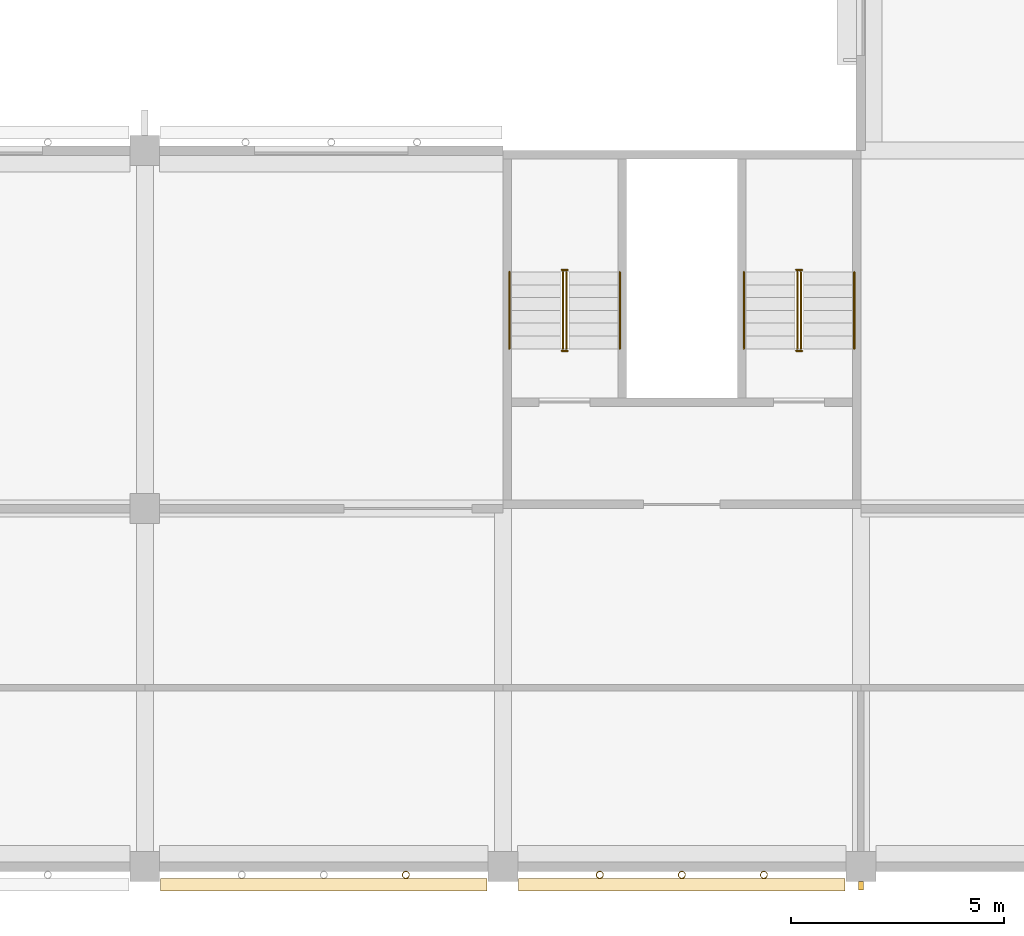
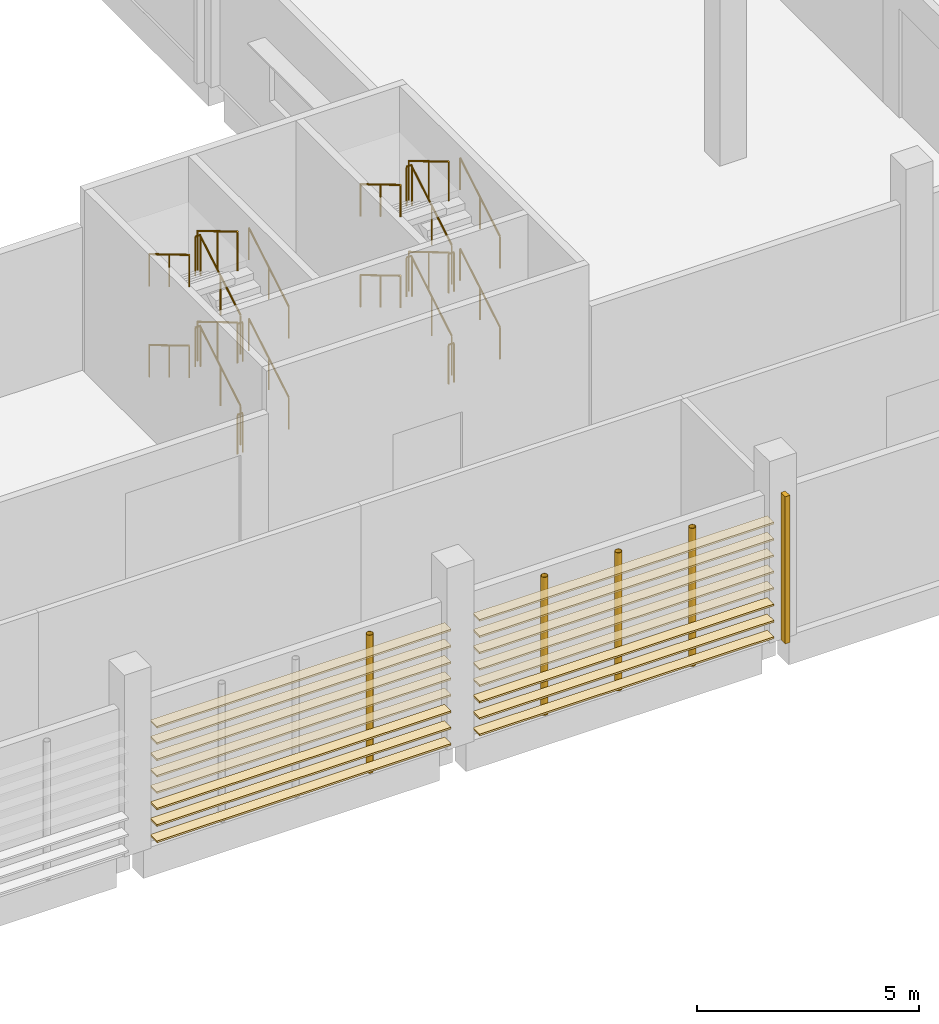
# One storey, part 59 of 82: 24 railings, 16 coverings, 5 shading devices.
"""IFC4 building model written with IfcOpenShell, lengths in metres."""

from ifc_helpers import new_model, si_unit, direction, frame, origin, origin_2d, place, context, subcontext, project, spatial, rectangle, circle, hollow_circle, extrude, material, material_profile, profile_set, type_object, element, save


model = new_model("IFC4")

# Units and contexts
model_context = context("Model", 3, precision=1e-05, world=origin(), true_north=direction((0.0, 1.0)))
body_context = subcontext(model_context, "Body", "Model", "MODEL_VIEW")
ifc_project = project(units=[si_unit("LENGTHUNIT", "METRE"), si_unit("AREAUNIT", "SQUARE_METRE"), si_unit("VOLUMEUNIT", "CUBIC_METRE"), si_unit("PLANEANGLEUNIT", "RADIAN"), si_unit("MASSUNIT", "GRAM", prefix="KILO")], contexts=[model_context])

# Site, building, storey
site_placement = place(None, origin())
site = spatial("IfcSite", under=ifc_project, at=site_placement, CompositionType="ELEMENT")
building_placement = place(site_placement, origin())
building = spatial("IfcBuilding", under=site, at=building_placement, Name="Almond Square Museum", CompositionType="ELEMENT")
storey_placement = place(building_placement, frame((0.0, 0.0, 20.0)))
storey = spatial("IfcBuildingStorey", under=building, at=storey_placement, Name="L03", CompositionType="ELEMENT", Elevation=20.0)

# Shading devices
ifc_material_1 = material(Name="Structural steel S355", Category="steel")
ifc_material_profile_1 = material_profile(ifc_material_1, hollow_circle(Radius=0.084228515625, WallThickness=0.008056640625, at=origin_2d()))
ifc_profile_set_1 = profile_set([ifc_material_profile_1], Name="Structural steel S355")
shading_device_type_1 = type_object("IfcShadingDeviceType", Name="Louvre post CHS 168.3 x 8", PredefinedType="USERDEFINED", material=ifc_profile_set_1)
for number, where, z_axis, x_axis, name in (
    (1, (121.324951171875, -0.194091796875, 0.0), (0.0, 0.0, 1.0), (1.0, 0.0, 0.0), "Louvre screen post"),
    (2, (125.875, -0.194091796875, 0.0), (0.0, 0.0, 1.0), (1.0, 0.0, 0.0), "Louvre screen post"),
    (3, (127.800048828125, -0.194091796875, 0.0), (0.0, 0.0, 1.0), (1.0, 0.0, 0.0), "Louvre screen post"),
    (4, (129.72509765625, -0.194091796875, 0.0), (0.0, 0.0, 1.0), (1.0, 0.0, 0.0), "Louvre screen post"),
):
    element("IfcShadingDevice", number, at=place(storey_placement, frame(where, z_axis=z_axis, x_axis=x_axis)), inside=storey, type_object=shading_device_type_1, Name=name, ObjectType="POST", PredefinedType="USERDEFINED", context=body_context, shape_type="SweptSolid", body=[
        extrude(hollow_circle(Radius=0.084228515625, WallThickness=0.008056640625, at=origin_2d()), origin(), (0.0, 0.0, 1.0), 3.800048828125),
    ])

# Coverings
ifc_material_2 = material(Name="Cedar timber louvre board", Category="wood")
ifc_material_profile_2 = material_profile(ifc_material_2, rectangle(XDim=0.300048828125, YDim=0.050048828125, at=origin_2d()))
ifc_profile_set_2 = profile_set([ifc_material_profile_2], Name="Cedar timber louvre board")
covering_type = type_object("IfcCoveringType", Name="Louvre screen board 300 x 50", PredefinedType="CLADDING", material=ifc_profile_set_2)
for number, where, z_axis, x_axis, name in (
    (5, (115.570068359375, -0.42431640625, 0.300048828125), (1.0, 0.0, 0.0), (0.0, 1.0, 0.0), "Louvre screen board"),
    (6, (115.570068359375, -0.42431640625, 0.75), (1.0, 0.0, 0.0), (0.0, 1.0, 0.0), "Louvre screen board"),
    (7, (115.570068359375, -0.42431640625, 1.199951171875), (1.0, 0.0, 0.0), (0.0, 1.0, 0.0), "Louvre screen board"),
    (8, (115.570068359375, -0.42431640625, 1.64990234375), (1.0, 0.0, 0.0), (0.0, 1.0, 0.0), "Louvre screen board"),
    (9, (115.570068359375, -0.42431640625, 2.10009765625), (1.0, 0.0, 0.0), (0.0, 1.0, 0.0), "Louvre screen board"),
    (10, (115.570068359375, -0.42431640625, 2.550048828125), (1.0, 0.0, 0.0), (0.0, 1.0, 0.0), "Louvre screen board"),
    (11, (115.570068359375, -0.42431640625, 3.0), (1.0, 0.0, 0.0), (0.0, 1.0, 0.0), "Louvre screen board"),
    (12, (115.570068359375, -0.42431640625, 3.449951171875), (1.0, 0.0, 0.0), (0.0, 1.0, 0.0), "Louvre screen board"),
    (13, (123.969970703125, -0.42431640625, 0.300048828125), (1.0, 0.0, 0.0), (0.0, 1.0, 0.0), "Louvre screen board"),
    (14, (123.969970703125, -0.42431640625, 0.75), (1.0, 0.0, 0.0), (0.0, 1.0, 0.0), "Louvre screen board"),
    (15, (123.969970703125, -0.42431640625, 1.199951171875), (1.0, 0.0, 0.0), (0.0, 1.0, 0.0), "Louvre screen board"),
    (16, (123.969970703125, -0.42431640625, 1.64990234375), (1.0, 0.0, 0.0), (0.0, 1.0, 0.0), "Louvre screen board"),
    (17, (123.969970703125, -0.42431640625, 2.10009765625), (1.0, 0.0, 0.0), (0.0, 1.0, 0.0), "Louvre screen board"),
    (18, (123.969970703125, -0.42431640625, 2.550048828125), (1.0, 0.0, 0.0), (0.0, 1.0, 0.0), "Louvre screen board"),
    (19, (123.969970703125, -0.42431640625, 3.0), (1.0, 0.0, 0.0), (0.0, 1.0, 0.0), "Louvre screen board"),
    (20, (123.969970703125, -0.42431640625, 3.449951171875), (1.0, 0.0, 0.0), (0.0, 1.0, 0.0), "Louvre screen board"),
):
    element("IfcCovering", number, at=place(storey_placement, frame(where, z_axis=z_axis, x_axis=x_axis)), inside=storey, type_object=covering_type, Name=name, PredefinedType="CLADDING", context=body_context, shape_type="SweptSolid", body=[
        extrude(rectangle(XDim=0.300048828125, YDim=0.050048828125, at=origin_2d()), origin(), (0.0, 0.0, 1.0), 7.659912109375),
    ])

# Railings
ifc_material_3 = material(Name="Stainless steel and laminated glass", Category="steel")
railing_type_1 = type_object("IfcRailingType", Name="Stair guard 1100 steel and glass", PredefinedType="GUARDRAIL", material=ifc_material_3)
railing_1_placement = place(storey_placement, frame((125.090087890625, 12.14990234375, 0.178466796875)))
element("IfcRailing", 21, at=railing_1_placement, inside=storey, type_object=railing_type_1, Name="L03 ST-31 stair guard 1", PredefinedType="GUARDRAIL", context=body_context, shape_type="SweptSolid", body=[
    extrude(circle(Radius=0.02392578125, at=origin_2d()), frame((0.0, 0.0, 1.076171875), z_axis=(0.0, 0.859277029364, 0.511510495305), x_axis=(-1.0, 0.0, 0.0)), (0.0, 0.0, 1.0), 2.0947265625),
    extrude(circle(Radius=0.02099609375, at=origin_2d()), origin(), (0.0, 0.0, 1.0), 1.052001953125),
    extrude(circle(Radius=0.02099609375, at=origin_2d()), frame((0.0, 0.89990234375, 0.53564453125)), (0.0, 0.0, 1.0), 1.052001953125),
    extrude(circle(Radius=0.02099609375, at=origin_2d()), frame((0.0, 1.800048828125, 1.071533203125)), (0.0, 0.0, 1.0), 1.052001953125),
])
railing_2_placement = place(storey_placement, frame((125.1201171875, 14.0, 1.25)))
element("IfcRailing", 22, at=railing_2_placement, inside=storey, type_object=railing_type_1, Name="L03 ST-31 stair guard 2", PredefinedType="GUARDRAIL", context=body_context, shape_type="SweptSolid", body=[
    extrude(circle(Radius=0.02392578125, at=origin_2d()), frame((0.0, 0.0, 1.076171875), z_axis=(-1.0, 0.0, 0.0), x_axis=(0.0, -1.0, 0.0)), (0.0, 0.0, 1.0), 0.14013671875),
    extrude(circle(Radius=0.02099609375, at=origin_2d()), origin(), (0.0, 0.0, 1.0), 1.052001953125),
    extrude(circle(Radius=0.02099609375, at=origin_2d()), frame((-0.14013671875, 0.0, 0.0)), (0.0, 0.0, 1.0), 1.052001953125),
])
railing_3_placement = place(storey_placement, frame((125.010009765625, 13.949951171875, 1.428466796875)))
element("IfcRailing", 23, at=railing_3_placement, inside=storey, type_object=railing_type_1, Name="L03 ST-31 stair guard 3", PredefinedType="GUARDRAIL", context=body_context, shape_type="SweptSolid", body=[
    extrude(circle(Radius=0.02392578125, at=origin_2d()), frame((0.0, 0.0, 1.076171875), z_axis=(0.0, -0.859277029364, 0.511510495305), x_axis=(1.0, 0.0, 0.0)), (0.0, 0.0, 1.0), 2.0947265625),
    extrude(circle(Radius=0.02099609375, at=origin_2d()), origin(), (0.0, 0.0, 1.0), 1.052001953125),
    extrude(circle(Radius=0.02099609375, at=origin_2d()), frame((0.0, -0.89990234375, 0.53564453125)), (0.0, 0.0, 1.0), 1.052001953125),
    extrude(circle(Radius=0.02099609375, at=origin_2d()), frame((0.0, -1.800048828125, 1.071533203125)), (0.0, 0.0, 1.0), 1.052001953125),
])
railing_4_placement = place(storey_placement, frame((125.1201171875, 12.10009765625, 2.5)))
element("IfcRailing", 24, at=railing_4_placement, inside=storey, type_object=railing_type_1, Name="L03 ST-31 stair guard 4", PredefinedType="GUARDRAIL", context=body_context, shape_type="SweptSolid", body=[
    extrude(circle(Radius=0.02392578125, at=origin_2d()), frame((0.0, 0.0, 1.076171875), z_axis=(-1.0, 0.0, 0.0), x_axis=(0.0, -1.0, 0.0)), (0.0, 0.0, 1.0), 0.14013671875),
    extrude(circle(Radius=0.02099609375, at=origin_2d()), origin(), (0.0, 0.0, 1.0), 1.052001953125),
    extrude(circle(Radius=0.02099609375, at=origin_2d()), frame((-0.14013671875, 0.0, 0.0)), (0.0, 0.0, 1.0), 1.052001953125),
])
railing_5_placement = place(storey_placement, frame((125.090087890625, 12.14990234375, 2.678466796875)))
element("IfcRailing", 25, at=railing_5_placement, inside=storey, type_object=railing_type_1, Name="L03 ST-31 stair guard 5", PredefinedType="GUARDRAIL", context=body_context, shape_type="SweptSolid", body=[
    extrude(circle(Radius=0.02392578125, at=origin_2d()), frame((0.0, 0.0, 1.076171875), z_axis=(0.0, 0.859277029364, 0.511510495305), x_axis=(-1.0, 0.0, 0.0)), (0.0, 0.0, 1.0), 2.0947265625),
    extrude(circle(Radius=0.02099609375, at=origin_2d()), origin(), (0.0, 0.0, 1.0), 1.052001953125),
    extrude(circle(Radius=0.02099609375, at=origin_2d()), frame((0.0, 0.89990234375, 0.53564453125)), (0.0, 0.0, 1.0), 1.052001953125),
    extrude(circle(Radius=0.02099609375, at=origin_2d()), frame((0.0, 1.800048828125, 1.071533203125)), (0.0, 0.0, 1.0), 1.052001953125),
])
railing_6_placement = place(storey_placement, frame((125.1201171875, 14.0, 3.75)))
element("IfcRailing", 26, at=railing_6_placement, inside=storey, type_object=railing_type_1, Name="L03 ST-31 stair guard 6", PredefinedType="GUARDRAIL", context=body_context, shape_type="SweptSolid", body=[
    extrude(circle(Radius=0.02392578125, at=origin_2d()), frame((0.0, 0.0, 1.076171875), z_axis=(-1.0, 0.0, 0.0), x_axis=(0.0, -1.0, 0.0)), (0.0, 0.0, 1.0), 0.14013671875),
    extrude(circle(Radius=0.02099609375, at=origin_2d()), origin(), (0.0, 0.0, 1.0), 1.052001953125),
    extrude(circle(Radius=0.02099609375, at=origin_2d()), frame((-0.14013671875, 0.0, 0.0)), (0.0, 0.0, 1.0), 1.052001953125),
])
railing_7_placement = place(storey_placement, frame((125.010009765625, 13.949951171875, 3.928466796875)))
element("IfcRailing", 27, at=railing_7_placement, inside=storey, type_object=railing_type_1, Name="L03 ST-31 stair guard 7", PredefinedType="GUARDRAIL", context=body_context, shape_type="SweptSolid", body=[
    extrude(circle(Radius=0.02392578125, at=origin_2d()), frame((0.0, 0.0, 1.076171875), z_axis=(0.0, -0.859277029364, 0.511510495305), x_axis=(1.0, 0.0, 0.0)), (0.0, 0.0, 1.0), 2.0947265625),
    extrude(circle(Radius=0.02099609375, at=origin_2d()), origin(), (0.0, 0.0, 1.0), 1.052001953125),
    extrude(circle(Radius=0.02099609375, at=origin_2d()), frame((0.0, -0.89990234375, 0.53564453125)), (0.0, 0.0, 1.0), 1.052001953125),
    extrude(circle(Radius=0.02099609375, at=origin_2d()), frame((0.0, -1.800048828125, 1.071533203125)), (0.0, 0.0, 1.0), 1.052001953125),
])
railing_8_placement = place(storey_placement, frame((125.1201171875, 12.10009765625, 0.0)))
element("IfcRailing", 28, at=railing_8_placement, inside=storey, type_object=railing_type_1, Name="L03 ST-31 stair guard 8", PredefinedType="GUARDRAIL", context=body_context, shape_type="SweptSolid", body=[
    extrude(circle(Radius=0.02392578125, at=origin_2d()), frame((0.0, 0.0, 1.076171875), z_axis=(-1.0, 0.0, 0.0), x_axis=(0.0, -1.0, 0.0)), (0.0, 0.0, 1.0), 0.14013671875),
    extrude(circle(Radius=0.02099609375, at=origin_2d()), origin(), (0.0, 0.0, 1.0), 1.052001953125),
    extrude(circle(Radius=0.02099609375, at=origin_2d()), frame((-0.14013671875, 0.0, 0.0)), (0.0, 0.0, 1.0), 1.052001953125),
])
railing_9_placement = place(storey_placement, frame((130.590087890625, 12.14990234375, 0.178466796875)))
element("IfcRailing", 29, at=railing_9_placement, inside=storey, type_object=railing_type_1, Name="L03 ST-32 stair guard 1", PredefinedType="GUARDRAIL", context=body_context, shape_type="SweptSolid", body=[
    extrude(circle(Radius=0.02392578125, at=origin_2d()), frame((0.0, 0.0, 1.076171875), z_axis=(0.0, 0.859277029364, 0.511510495305), x_axis=(-1.0, 0.0, 0.0)), (0.0, 0.0, 1.0), 2.0947265625),
    extrude(circle(Radius=0.02099609375, at=origin_2d()), origin(), (0.0, 0.0, 1.0), 1.052001953125),
    extrude(circle(Radius=0.02099609375, at=origin_2d()), frame((0.0, 0.89990234375, 0.53564453125)), (0.0, 0.0, 1.0), 1.052001953125),
    extrude(circle(Radius=0.02099609375, at=origin_2d()), frame((0.0, 1.800048828125, 1.071533203125)), (0.0, 0.0, 1.0), 1.052001953125),
])
railing_10_placement = place(storey_placement, frame((130.6201171875, 14.0, 1.25)))
element("IfcRailing", 30, at=railing_10_placement, inside=storey, type_object=railing_type_1, Name="L03 ST-32 stair guard 2", PredefinedType="GUARDRAIL", context=body_context, shape_type="SweptSolid", body=[
    extrude(circle(Radius=0.02392578125, at=origin_2d()), frame((0.0, 0.0, 1.076171875), z_axis=(-1.0, 0.0, 0.0), x_axis=(0.0, -1.0, 0.0)), (0.0, 0.0, 1.0), 0.14013671875),
    extrude(circle(Radius=0.02099609375, at=origin_2d()), origin(), (0.0, 0.0, 1.0), 1.052001953125),
    extrude(circle(Radius=0.02099609375, at=origin_2d()), frame((-0.14013671875, 0.0, 0.0)), (0.0, 0.0, 1.0), 1.052001953125),
])
railing_11_placement = place(storey_placement, frame((130.510009765625, 13.949951171875, 1.428466796875)))
element("IfcRailing", 31, at=railing_11_placement, inside=storey, type_object=railing_type_1, Name="L03 ST-32 stair guard 3", PredefinedType="GUARDRAIL", context=body_context, shape_type="SweptSolid", body=[
    extrude(circle(Radius=0.02392578125, at=origin_2d()), frame((0.0, 0.0, 1.076171875), z_axis=(0.0, -0.859277029364, 0.511510495305), x_axis=(1.0, 0.0, 0.0)), (0.0, 0.0, 1.0), 2.0947265625),
    extrude(circle(Radius=0.02099609375, at=origin_2d()), origin(), (0.0, 0.0, 1.0), 1.052001953125),
    extrude(circle(Radius=0.02099609375, at=origin_2d()), frame((0.0, -0.89990234375, 0.53564453125)), (0.0, 0.0, 1.0), 1.052001953125),
    extrude(circle(Radius=0.02099609375, at=origin_2d()), frame((0.0, -1.800048828125, 1.071533203125)), (0.0, 0.0, 1.0), 1.052001953125),
])
railing_12_placement = place(storey_placement, frame((130.6201171875, 12.10009765625, 2.5)))
element("IfcRailing", 32, at=railing_12_placement, inside=storey, type_object=railing_type_1, Name="L03 ST-32 stair guard 4", PredefinedType="GUARDRAIL", context=body_context, shape_type="SweptSolid", body=[
    extrude(circle(Radius=0.02392578125, at=origin_2d()), frame((0.0, 0.0, 1.076171875), z_axis=(-1.0, 0.0, 0.0), x_axis=(0.0, -1.0, 0.0)), (0.0, 0.0, 1.0), 0.14013671875),
    extrude(circle(Radius=0.02099609375, at=origin_2d()), origin(), (0.0, 0.0, 1.0), 1.052001953125),
    extrude(circle(Radius=0.02099609375, at=origin_2d()), frame((-0.14013671875, 0.0, 0.0)), (0.0, 0.0, 1.0), 1.052001953125),
])
railing_13_placement = place(storey_placement, frame((130.590087890625, 12.14990234375, 2.678466796875)))
element("IfcRailing", 33, at=railing_13_placement, inside=storey, type_object=railing_type_1, Name="L03 ST-32 stair guard 5", PredefinedType="GUARDRAIL", context=body_context, shape_type="SweptSolid", body=[
    extrude(circle(Radius=0.02392578125, at=origin_2d()), frame((0.0, 0.0, 1.076171875), z_axis=(0.0, 0.859277029364, 0.511510495305), x_axis=(-1.0, 0.0, 0.0)), (0.0, 0.0, 1.0), 2.0947265625),
    extrude(circle(Radius=0.02099609375, at=origin_2d()), origin(), (0.0, 0.0, 1.0), 1.052001953125),
    extrude(circle(Radius=0.02099609375, at=origin_2d()), frame((0.0, 0.89990234375, 0.53564453125)), (0.0, 0.0, 1.0), 1.052001953125),
    extrude(circle(Radius=0.02099609375, at=origin_2d()), frame((0.0, 1.800048828125, 1.071533203125)), (0.0, 0.0, 1.0), 1.052001953125),
])
railing_14_placement = place(storey_placement, frame((130.6201171875, 14.0, 3.75)))
element("IfcRailing", 34, at=railing_14_placement, inside=storey, type_object=railing_type_1, Name="L03 ST-32 stair guard 6", PredefinedType="GUARDRAIL", context=body_context, shape_type="SweptSolid", body=[
    extrude(circle(Radius=0.02392578125, at=origin_2d()), frame((0.0, 0.0, 1.076171875), z_axis=(-1.0, 0.0, 0.0), x_axis=(0.0, -1.0, 0.0)), (0.0, 0.0, 1.0), 0.14013671875),
    extrude(circle(Radius=0.02099609375, at=origin_2d()), origin(), (0.0, 0.0, 1.0), 1.052001953125),
    extrude(circle(Radius=0.02099609375, at=origin_2d()), frame((-0.14013671875, 0.0, 0.0)), (0.0, 0.0, 1.0), 1.052001953125),
])
railing_15_placement = place(storey_placement, frame((130.510009765625, 13.949951171875, 3.928466796875)))
element("IfcRailing", 35, at=railing_15_placement, inside=storey, type_object=railing_type_1, Name="L03 ST-32 stair guard 7", PredefinedType="GUARDRAIL", context=body_context, shape_type="SweptSolid", body=[
    extrude(circle(Radius=0.02392578125, at=origin_2d()), frame((0.0, 0.0, 1.076171875), z_axis=(0.0, -0.859277029364, 0.511510495305), x_axis=(1.0, 0.0, 0.0)), (0.0, 0.0, 1.0), 2.0947265625),
    extrude(circle(Radius=0.02099609375, at=origin_2d()), origin(), (0.0, 0.0, 1.0), 1.052001953125),
    extrude(circle(Radius=0.02099609375, at=origin_2d()), frame((0.0, -0.89990234375, 0.53564453125)), (0.0, 0.0, 1.0), 1.052001953125),
    extrude(circle(Radius=0.02099609375, at=origin_2d()), frame((0.0, -1.800048828125, 1.071533203125)), (0.0, 0.0, 1.0), 1.052001953125),
])
railing_16_placement = place(storey_placement, frame((130.6201171875, 12.10009765625, 0.0)))
element("IfcRailing", 36, at=railing_16_placement, inside=storey, type_object=railing_type_1, Name="L03 ST-32 stair guard 8", PredefinedType="GUARDRAIL", context=body_context, shape_type="SweptSolid", body=[
    extrude(circle(Radius=0.02392578125, at=origin_2d()), frame((0.0, 0.0, 1.076171875), z_axis=(-1.0, 0.0, 0.0), x_axis=(0.0, -1.0, 0.0)), (0.0, 0.0, 1.0), 0.14013671875),
    extrude(circle(Radius=0.02099609375, at=origin_2d()), origin(), (0.0, 0.0, 1.0), 1.052001953125),
    extrude(circle(Radius=0.02099609375, at=origin_2d()), frame((-0.14013671875, 0.0, 0.0)), (0.0, 0.0, 1.0), 1.052001953125),
])
ifc_material_4 = material(Name="Stainless steel", Category="steel")
railing_type_2 = type_object("IfcRailingType", Name="Stair handrail 900 steel", PredefinedType="HANDRAIL", material=ifc_material_4)
railing_17_placement = place(storey_placement, frame((126.344970703125, 12.14990234375, 0.178466796875)))
element("IfcRailing", 37, at=railing_17_placement, inside=storey, type_object=railing_type_2, Name="L03 ST-31 stair handrail 1", PredefinedType="HANDRAIL", context=body_context, shape_type="SweptSolid", body=[
    extrude(circle(Radius=0.02392578125, at=origin_2d()), frame((0.0, 0.0, 0.8759765625), z_axis=(0.0, 0.859277029364, 0.511510495305), x_axis=(-1.0, 0.0, 0.0)), (0.0, 0.0, 1.0), 2.0947265625),
    extrude(circle(Radius=0.02099609375, at=origin_2d()), origin(), (0.0, 0.0, 1.0), 0.851806640625),
    extrude(circle(Radius=0.02099609375, at=origin_2d()), frame((0.0, 0.89990234375, 0.53564453125)), (0.0, 0.0, 1.0), 0.851806640625),
    extrude(circle(Radius=0.02099609375, at=origin_2d()), frame((0.0, 1.800048828125, 1.071533203125)), (0.0, 0.0, 1.0), 0.851806640625),
])
railing_18_placement = place(storey_placement, frame((123.7548828125, 13.949951171875, 1.428466796875)))
element("IfcRailing", 38, at=railing_18_placement, inside=storey, type_object=railing_type_2, Name="L03 ST-31 stair handrail 2", PredefinedType="HANDRAIL", context=body_context, shape_type="SweptSolid", body=[
    extrude(circle(Radius=0.02392578125, at=origin_2d()), frame((0.0, 0.0, 0.8759765625), z_axis=(0.0, -0.859277029364, 0.511510495305), x_axis=(1.0, 0.0, 0.0)), (0.0, 0.0, 1.0), 2.0947265625),
    extrude(circle(Radius=0.02099609375, at=origin_2d()), origin(), (0.0, 0.0, 1.0), 0.851806640625),
    extrude(circle(Radius=0.02099609375, at=origin_2d()), frame((0.0, -0.89990234375, 0.53564453125)), (0.0, 0.0, 1.0), 0.851806640625),
    extrude(circle(Radius=0.02099609375, at=origin_2d()), frame((0.0, -1.800048828125, 1.071533203125)), (0.0, 0.0, 1.0), 0.851806640625),
])
railing_19_placement = place(storey_placement, frame((126.344970703125, 12.14990234375, 2.678466796875)))
element("IfcRailing", 39, at=railing_19_placement, inside=storey, type_object=railing_type_2, Name="L03 ST-31 stair handrail 3", PredefinedType="HANDRAIL", context=body_context, shape_type="SweptSolid", body=[
    extrude(circle(Radius=0.02392578125, at=origin_2d()), frame((0.0, 0.0, 0.8759765625), z_axis=(0.0, 0.859277029364, 0.511510495305), x_axis=(-1.0, 0.0, 0.0)), (0.0, 0.0, 1.0), 2.0947265625),
    extrude(circle(Radius=0.02099609375, at=origin_2d()), origin(), (0.0, 0.0, 1.0), 0.851806640625),
    extrude(circle(Radius=0.02099609375, at=origin_2d()), frame((0.0, 0.89990234375, 0.53564453125)), (0.0, 0.0, 1.0), 0.851806640625),
    extrude(circle(Radius=0.02099609375, at=origin_2d()), frame((0.0, 1.800048828125, 1.071533203125)), (0.0, 0.0, 1.0), 0.851806640625),
])
railing_20_placement = place(storey_placement, frame((123.7548828125, 13.949951171875, 3.928466796875)))
element("IfcRailing", 40, at=railing_20_placement, inside=storey, type_object=railing_type_2, Name="L03 ST-31 stair handrail 4", PredefinedType="HANDRAIL", context=body_context, shape_type="SweptSolid", body=[
    extrude(circle(Radius=0.02392578125, at=origin_2d()), frame((0.0, 0.0, 0.8759765625), z_axis=(0.0, -0.859277029364, 0.511510495305), x_axis=(1.0, 0.0, 0.0)), (0.0, 0.0, 1.0), 2.0947265625),
    extrude(circle(Radius=0.02099609375, at=origin_2d()), origin(), (0.0, 0.0, 1.0), 0.851806640625),
    extrude(circle(Radius=0.02099609375, at=origin_2d()), frame((0.0, -0.89990234375, 0.53564453125)), (0.0, 0.0, 1.0), 0.851806640625),
    extrude(circle(Radius=0.02099609375, at=origin_2d()), frame((0.0, -1.800048828125, 1.071533203125)), (0.0, 0.0, 1.0), 0.851806640625),
])
railing_21_placement = place(storey_placement, frame((131.844970703125, 12.14990234375, 0.178466796875)))
element("IfcRailing", 41, at=railing_21_placement, inside=storey, type_object=railing_type_2, Name="L03 ST-32 stair handrail 1", PredefinedType="HANDRAIL", context=body_context, shape_type="SweptSolid", body=[
    extrude(circle(Radius=0.02392578125, at=origin_2d()), frame((0.0, 0.0, 0.8759765625), z_axis=(0.0, 0.859277029364, 0.511510495305), x_axis=(-1.0, 0.0, 0.0)), (0.0, 0.0, 1.0), 2.0947265625),
    extrude(circle(Radius=0.02099609375, at=origin_2d()), origin(), (0.0, 0.0, 1.0), 0.851806640625),
    extrude(circle(Radius=0.02099609375, at=origin_2d()), frame((0.0, 0.89990234375, 0.53564453125)), (0.0, 0.0, 1.0), 0.851806640625),
    extrude(circle(Radius=0.02099609375, at=origin_2d()), frame((0.0, 1.800048828125, 1.071533203125)), (0.0, 0.0, 1.0), 0.851806640625),
])
railing_22_placement = place(storey_placement, frame((129.2548828125, 13.949951171875, 1.428466796875)))
element("IfcRailing", 42, at=railing_22_placement, inside=storey, type_object=railing_type_2, Name="L03 ST-32 stair handrail 2", PredefinedType="HANDRAIL", context=body_context, shape_type="SweptSolid", body=[
    extrude(circle(Radius=0.02392578125, at=origin_2d()), frame((0.0, 0.0, 0.8759765625), z_axis=(0.0, -0.859277029364, 0.511510495305), x_axis=(1.0, 0.0, 0.0)), (0.0, 0.0, 1.0), 2.0947265625),
    extrude(circle(Radius=0.02099609375, at=origin_2d()), origin(), (0.0, 0.0, 1.0), 0.851806640625),
    extrude(circle(Radius=0.02099609375, at=origin_2d()), frame((0.0, -0.89990234375, 0.53564453125)), (0.0, 0.0, 1.0), 0.851806640625),
    extrude(circle(Radius=0.02099609375, at=origin_2d()), frame((0.0, -1.800048828125, 1.071533203125)), (0.0, 0.0, 1.0), 0.851806640625),
])
railing_23_placement = place(storey_placement, frame((131.844970703125, 12.14990234375, 2.678466796875)))
element("IfcRailing", 43, at=railing_23_placement, inside=storey, type_object=railing_type_2, Name="L03 ST-32 stair handrail 3", PredefinedType="HANDRAIL", context=body_context, shape_type="SweptSolid", body=[
    extrude(circle(Radius=0.02392578125, at=origin_2d()), frame((0.0, 0.0, 0.8759765625), z_axis=(0.0, 0.859277029364, 0.511510495305), x_axis=(-1.0, 0.0, 0.0)), (0.0, 0.0, 1.0), 2.0947265625),
    extrude(circle(Radius=0.02099609375, at=origin_2d()), origin(), (0.0, 0.0, 1.0), 0.851806640625),
    extrude(circle(Radius=0.02099609375, at=origin_2d()), frame((0.0, 0.89990234375, 0.53564453125)), (0.0, 0.0, 1.0), 0.851806640625),
    extrude(circle(Radius=0.02099609375, at=origin_2d()), frame((0.0, 1.800048828125, 1.071533203125)), (0.0, 0.0, 1.0), 0.851806640625),
])
railing_24_placement = place(storey_placement, frame((129.2548828125, 13.949951171875, 3.928466796875)))
element("IfcRailing", 44, at=railing_24_placement, inside=storey, type_object=railing_type_2, Name="L03 ST-32 stair handrail 4", PredefinedType="HANDRAIL", context=body_context, shape_type="SweptSolid", body=[
    extrude(circle(Radius=0.02392578125, at=origin_2d()), frame((0.0, 0.0, 0.8759765625), z_axis=(0.0, -0.859277029364, 0.511510495305), x_axis=(1.0, 0.0, 0.0)), (0.0, 0.0, 1.0), 2.0947265625),
    extrude(circle(Radius=0.02099609375, at=origin_2d()), origin(), (0.0, 0.0, 1.0), 0.851806640625),
    extrude(circle(Radius=0.02099609375, at=origin_2d()), frame((0.0, -0.89990234375, 0.53564453125)), (0.0, 0.0, 1.0), 0.851806640625),
    extrude(circle(Radius=0.02099609375, at=origin_2d()), frame((0.0, -1.800048828125, 1.071533203125)), (0.0, 0.0, 1.0), 0.851806640625),
])

# Shading device
ifc_material_5 = material(Name="Anodised aluminium", Category="aluminium")
ifc_material_profile_3 = material_profile(ifc_material_5, rectangle(XDim=0.199951171875, YDim=0.1201171875, at=origin_2d()))
ifc_profile_set_3 = profile_set([ifc_material_profile_3], Name="Anodised aluminium")
shading_device_type_2 = type_object("IfcShadingDeviceType", Name="Vertical aluminium fin 200 x 120", PredefinedType="USERDEFINED", material=ifc_profile_set_3)
shading_device_placement = place(storey_placement, frame((132.0, -0.447998046875, 0.0), z_axis=(0.0, 0.0, 1.0), x_axis=(0.0, -1.0, 0.0)))
element("IfcShadingDevice", 45, at=shading_device_placement, inside=storey, type_object=shading_device_type_2, Name="Vertical fin V5E L03 S01", ObjectType="FIN", PredefinedType="USERDEFINED", context=body_context, shape_type="SweptSolid", body=[
    extrude(rectangle(XDim=0.199951171875, YDim=0.1201171875, at=origin_2d()), origin(), (0.0, 0.0, 1.0), 4.050048828125),
])

save(model, "model.ifc")
